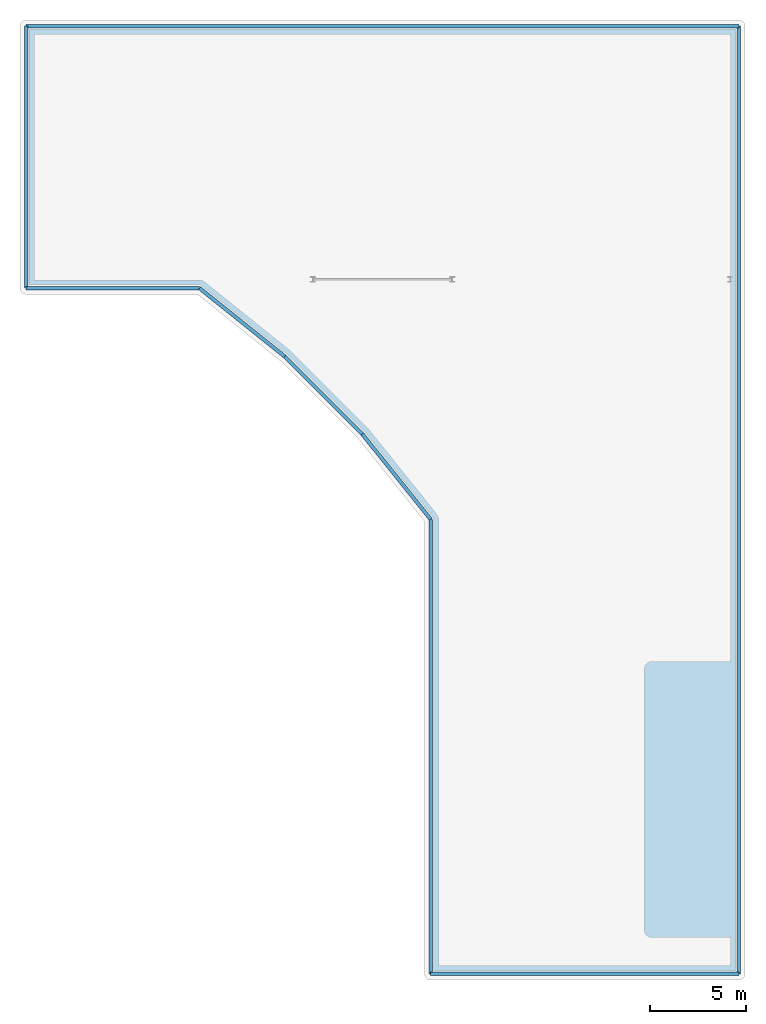
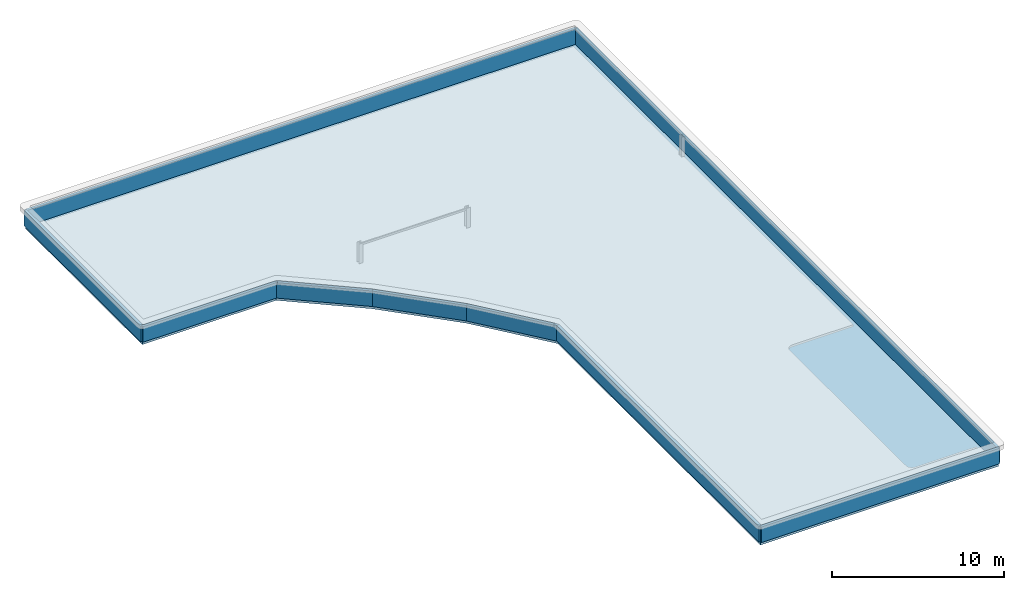
# One storey, part 2 of 3: 9 walls, 1 slab.
"""IFC4 building model written with IfcOpenShell, lengths in metres."""

from ifc_helpers import new_model, si_unit, direction, frame, frame_2d, origin, place, context, subcontext, project, spatial, polyline, rectangle, outline, extrude, material, layer, layer_set, type_object, element, save


model = new_model("IFC4")

# Units and contexts
model_context = context("Model", 3, precision=1e-05, world=origin(), true_north=direction((0.0, 1.0)))
body_context = subcontext(model_context, "Body", "Model", "MODEL_VIEW")
ifc_project = project(units=[si_unit("LENGTHUNIT", "METRE"), si_unit("AREAUNIT", "SQUARE_METRE"), si_unit("VOLUMEUNIT", "CUBIC_METRE"), si_unit("PLANEANGLEUNIT", "RADIAN"), si_unit("MASSUNIT", "GRAM", prefix="KILO")], contexts=[model_context])

# Site, building, storey
site_placement = place(None, origin())
site = spatial("IfcSite", under=ifc_project, at=site_placement, CompositionType="ELEMENT")
building_placement = place(site_placement, origin())
building = spatial("IfcBuilding", under=site, at=building_placement, Name="Keldmere Railside Commons", CompositionType="ELEMENT")
storey_placement = place(building_placement, frame((0.0, 0.0, 45.760009765625)))
storey = spatial("IfcBuildingStorey", under=building, at=storey_placement, Name="RF", CompositionType="ELEMENT", Elevation=45.760009765625)

# Slab
ifc_material_1 = material(Name="Concrete H-35 (C35/45)", Category="concrete")
ifc_layer_1 = layer(ifc_material_1, 0.22998046875, Name="Main Flat Roof Slab 230")
ifc_layer_set_1 = layer_set([ifc_layer_1], Name="Concrete H-35 (C35/45)")
slab_type = type_object("IfcSlabType", Name="Main Flat Roof Slab 230", PredefinedType="ROOF", material=ifc_layer_set_1)
slab_placement = place(storey_placement, frame((0.0, 0.0, -0.22998046875)))
element("IfcSlab", 1, at=slab_placement, inside=storey, type_object=slab_type, Name="RT-2 ROOFA-RF-072", PredefinedType="ROOF", context=body_context, shape_type="SweptSolid", body=[
    extrude(outline(polyline([(168.0, 64.39990234375), (184.0, 64.39990234375), (184.0, 113.60009765625), (147.0, 113.60009765625), (147.0, 100.0), (156.0, 100.0), (160.429931640625, 96.446044921875), (164.446044921875, 92.429931640625), (168.0, 88.0), (168.0, 64.39990234375)])), origin(), (0.0, 0.0, 1.0), 0.22998046875),
])

# Walls
ifc_material_2 = material(Name="Architectural Precast Concrete H-35 (C35/45)", Category="concrete")
ifc_layer_2 = layer(ifc_material_2, 0.18994140625, Name="Roof Parapet Wall 190")
ifc_layer_set_2 = layer_set([ifc_layer_2], Name="Architectural Precast Concrete H-35 (C35/45)")
wall_type = type_object("IfcWallType", Name="Roof Parapet Wall 190", PredefinedType="PARAPET", material=ifc_layer_set_2)
wall_1_placement = place(storey_placement, frame((184.0, 64.39990234375, 0.0), z_axis=(0.0, 0.0, 1.0), x_axis=(-1.0, 0.0, 0.0)))
element("IfcWall", 2, at=wall_1_placement, inside=storey, type_object=wall_type, Name="PW-1 PRPA-RF-0972", PredefinedType="PARAPET", context=body_context, shape_type="SweptSolid", body=[
    extrude(rectangle(XDim=16.0, YDim=0.18994140625, at=frame_2d((8.0, 0.0))), origin(), (0.0, 0.0, 1.0), 1.10009765625),
])
wall_2_placement = place(storey_placement, frame((184.0, 113.60009765625, 0.0), z_axis=(0.0, 0.0, 1.0), x_axis=(0.0, -1.0, 0.0)))
element("IfcWall", 3, at=wall_2_placement, inside=storey, type_object=wall_type, Name="PW-1 PRPA-RF-0973", PredefinedType="PARAPET", context=body_context, shape_type="SweptSolid", body=[
    extrude(rectangle(XDim=49.2001953125, YDim=0.18994140625, at=frame_2d((24.60009765625, 0.0))), origin(), (0.0, 0.0, 1.0), 1.10009765625),
])
wall_3_placement = place(storey_placement, frame((147.0, 113.60009765625, 0.0), z_axis=(0.0, 0.0, 1.0), x_axis=(1.0, 0.0, 0.0)))
element("IfcWall", 4, at=wall_3_placement, inside=storey, type_object=wall_type, Name="PW-1 PRPA-RF-0974", PredefinedType="PARAPET", context=body_context, shape_type="SweptSolid", body=[
    extrude(rectangle(XDim=37.0, YDim=0.18994140625, at=frame_2d((18.5, 0.0))), origin(), (0.0, 0.0, 1.0), 1.10009765625),
])
wall_4_placement = place(storey_placement, frame((147.0, 100.0, 0.0), z_axis=(0.0, 0.0, 1.0), x_axis=(0.0, 1.0, 0.0)))
element("IfcWall", 5, at=wall_4_placement, inside=storey, type_object=wall_type, Name="PW-1 PRPA-RF-0975", PredefinedType="PARAPET", context=body_context, shape_type="SweptSolid", body=[
    extrude(rectangle(XDim=13.60009765625, YDim=0.18994140625, at=frame_2d((6.800048828125, 0.0))), origin(), (0.0, 0.0, 1.0), 1.10009765625),
])
wall_5_placement = place(storey_placement, frame((156.0, 100.0, 0.0), z_axis=(0.0, 0.0, 1.0), x_axis=(-1.0, 0.0, 0.0)))
element("IfcWall", 6, at=wall_5_placement, inside=storey, type_object=wall_type, Name="PW-1 PRPA-RF-0976", PredefinedType="PARAPET", context=body_context, shape_type="SweptSolid", body=[
    extrude(rectangle(XDim=9.0, YDim=0.18994140625, at=frame_2d((4.5, 0.0))), origin(), (0.0, 0.0, 1.0), 1.10009765625),
])
wall_6_placement = place(storey_placement, frame((160.429931640625, 96.446044921875, 0.0), z_axis=(0.0, 0.0, 1.0), x_axis=(-0.780008319766, 0.625769143611, 0.0)))
element("IfcWall", 7, at=wall_6_placement, inside=storey, type_object=wall_type, Name="PW-1 PRPA-RF-0977", PredefinedType="PARAPET", context=body_context, shape_type="SweptSolid", body=[
    extrude(rectangle(XDim=5.679443359375, YDim=0.18994140625, at=frame_2d((2.83984375, 0.0))), origin(), (0.0, 0.0, 1.0), 1.10009765625),
])
wall_7_placement = place(storey_placement, frame((164.446044921875, 92.429931640625, 0.0), z_axis=(0.0, 0.0, 1.0), x_axis=(-0.707106781187, 0.707106781187, 0.0)))
element("IfcWall", 8, at=wall_7_placement, inside=storey, type_object=wall_type, Name="PW-1 PRPA-RF-0978", PredefinedType="PARAPET", context=body_context, shape_type="SweptSolid", body=[
    extrude(rectangle(XDim=5.6796875, YDim=0.18994140625, at=frame_2d((2.83984375, 0.0))), origin(), (0.0, 0.0, 1.0), 1.10009765625),
])
wall_8_placement = place(storey_placement, frame((168.0, 88.0, 0.0), z_axis=(0.0, 0.0, 1.0), x_axis=(-0.625769143611, 0.780008319766, 0.0)))
element("IfcWall", 9, at=wall_8_placement, inside=storey, type_object=wall_type, Name="PW-1 PRPA-RF-0979", PredefinedType="PARAPET", context=body_context, shape_type="SweptSolid", body=[
    extrude(rectangle(XDim=5.679443359375, YDim=0.18994140625, at=frame_2d((2.83984375, 0.0))), origin(), (0.0, 0.0, 1.0), 1.10009765625),
])
wall_9_placement = place(storey_placement, frame((168.0, 64.39990234375, 0.0), z_axis=(0.0, 0.0, 1.0), x_axis=(0.0, 1.0, 0.0)))
element("IfcWall", 10, at=wall_9_placement, inside=storey, type_object=wall_type, Name="PW-1 PRPA-RF-0980", PredefinedType="PARAPET", context=body_context, shape_type="SweptSolid", body=[
    extrude(rectangle(XDim=23.60009765625, YDim=0.18994140625, at=frame_2d((11.800048828125, 0.0))), origin(), (0.0, 0.0, 1.0), 1.10009765625),
])

save(model, "model.ifc")
